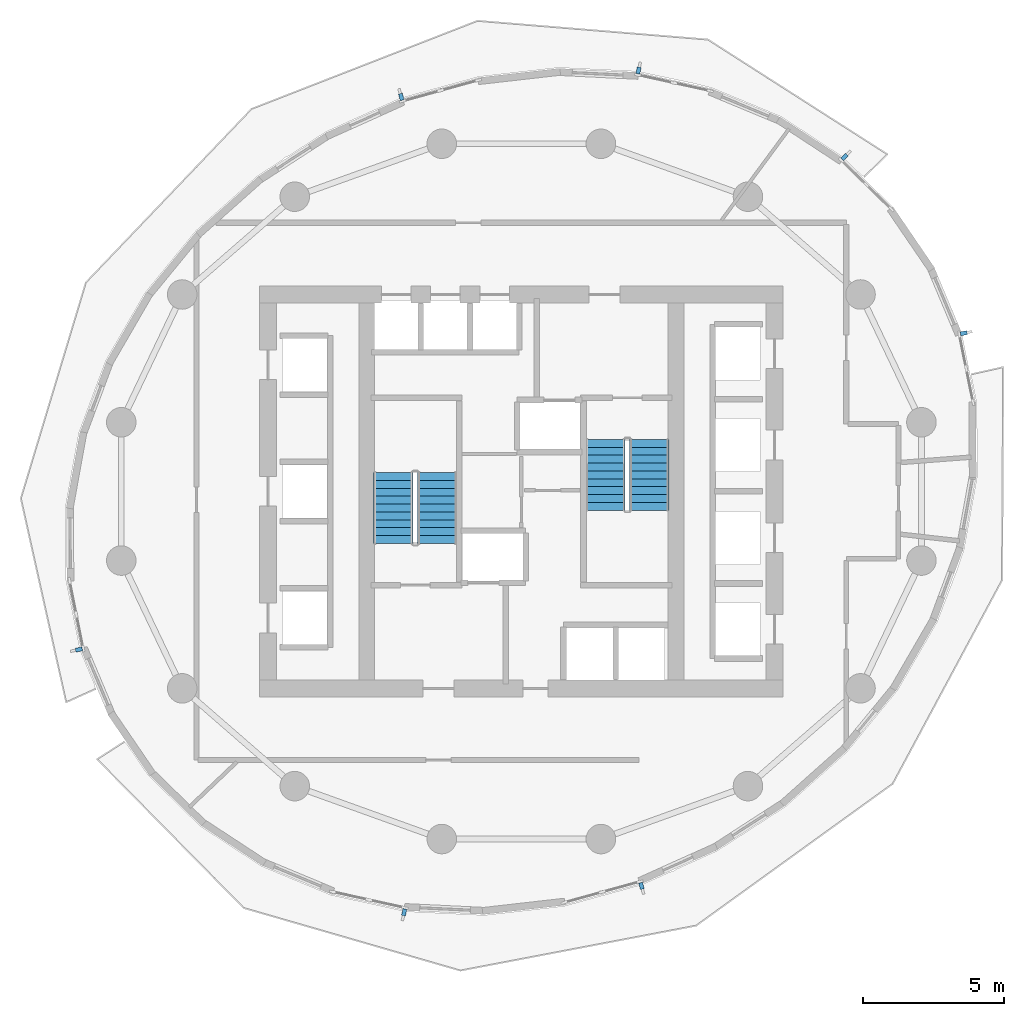
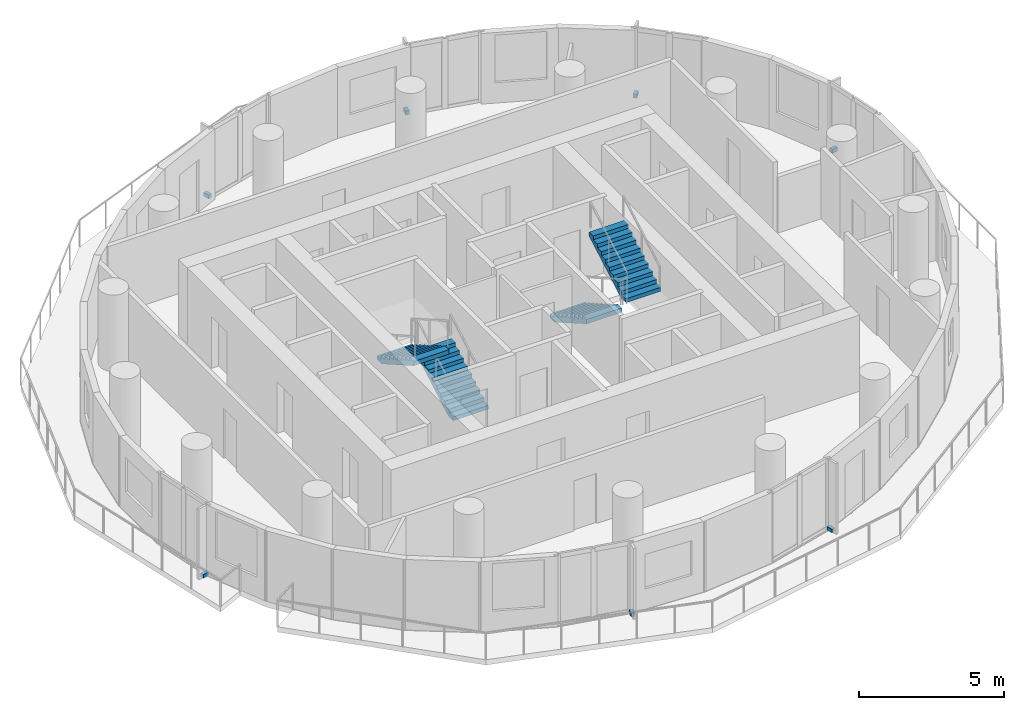
# One storey, part 6 of 11: 7 discrete accessories, 4 stair flights, 2 elements without a shape of their own.
"""IFC4 building model written with IfcOpenShell, lengths in metres."""

from ifc_helpers import new_model, si_unit, direction, frame, origin, origin_2d, place, context, subcontext, project, spatial, polyline, rectangle, outline, extrude, material, type_object, element, aggregate, save


model = new_model("IFC4")

# Units and contexts
model_context = context("Model", 3, precision=1e-05, world=origin(), true_north=direction((0.0, 1.0)))
body_context = subcontext(model_context, "Body", "Model", "MODEL_VIEW")
ifc_project = project(units=[si_unit("LENGTHUNIT", "METRE"), si_unit("AREAUNIT", "SQUARE_METRE"), si_unit("VOLUMEUNIT", "CUBIC_METRE"), si_unit("PLANEANGLEUNIT", "RADIAN"), si_unit("MASSUNIT", "GRAM", prefix="KILO")], contexts=[model_context])

# Site, building, storey
site_placement = place(None, origin())
site = spatial("IfcSite", under=ifc_project, at=site_placement, CompositionType="ELEMENT")
building_placement = place(site_placement, origin())
building = spatial("IfcBuilding", under=site, at=building_placement, Name="Veldorim Arch Residences", CompositionType="ELEMENT")
storey_placement = place(building_placement, frame((0.0, 0.0, 116.9599609375)))
storey = spatial("IfcBuildingStorey", under=building, at=storey_placement, Name="L34", CompositionType="ELEMENT", Elevation=116.9599609375)

# Stair, stair flights
ifc_material_1 = material(Name="Concrete C40/50", Category="concrete")
stair_type = type_object("IfcStairType", Name="Reinforced Concrete Dogleg Exit Staircase", PredefinedType="HALF_TURN_STAIR", material=ifc_material_1)
stair_1_placement = place(storey_placement, origin())
stair_1 = element("IfcStair", 1, at=stair_1_placement, inside=storey, type_object=stair_type, Name="L34 Exit Staircase ST-1", PredefinedType="HALF_TURN_STAIR")
ifc_material_2 = material(Name="Concrete C40/50", Category="concrete")
stair_flight_type = type_object("IfcStairFlightType", Name="Reinforced Concrete Stair Flight 1400", PredefinedType="STRAIGHT", material=ifc_material_2)
stair_flight_1_placement = place(storey_placement, frame((29.010009765625, 22.14990234375, 0.0), z_axis=(0.0, 0.0, 1.0), x_axis=(0.0, 1.0, 0.0)))
stair_flight_1 = element("IfcStairFlight", 2, at=stair_flight_1_placement, type_object=stair_flight_type, Name="ST-1 flight 1", NumberOfRisers=10, NumberOfTreads=9, PredefinedType="STRAIGHT", RiserHeight=0.16, TreadLength=0.28, context=body_context, shape_type="SweptSolid", body=[
    extrude(outline(polyline([(0.0, 0.0), (0.0, 0.159912109375), (0.280029296875, 0.159912109375), (0.280029296875, 0.320068359375), (0.56005859375, 0.320068359375), (0.56005859375, 0.47998046875), (0.840087890625, 0.47998046875), (0.840087890625, 0.639892578125), (1.1201171875, 0.639892578125), (1.1201171875, 0.800048828125), (1.39990234375, 0.800048828125), (1.39990234375, 0.9599609375), (1.679931640625, 0.9599609375), (1.679931640625, 1.1201171875), (1.9599609375, 1.1201171875), (1.9599609375, 1.280029296875), (2.239990234375, 1.280029296875), (2.239990234375, 1.43994140625), (2.52001953125, 1.43994140625), (2.52001953125, 1.60009765625), (2.52001953125, 1.255859375), (0.322265625, 0.0), (0.0, 0.0)])), frame((0.0, 0.699951171875, 0.0), z_axis=(0.0, -1.0, 0.0), x_axis=(1.0, 0.0, 0.0)), (0.0, 0.0, 1.0), 1.39990234375),
])
stair_flight_2_placement = place(storey_placement, frame((27.449951171875, 24.669921875, 1.60009765625), z_axis=(0.0, 0.0, 1.0), x_axis=(0.0, -1.0, 0.0)))
stair_flight_2 = element("IfcStairFlight", 3, at=stair_flight_2_placement, type_object=stair_flight_type, Name="ST-1 flight 2", NumberOfRisers=10, NumberOfTreads=9, PredefinedType="STRAIGHT", RiserHeight=0.16, TreadLength=0.28, context=body_context, shape_type="SweptSolid", body=[
    extrude(outline(polyline([(0.0, 0.0), (0.0, 0.159912109375), (0.280029296875, 0.159912109375), (0.280029296875, 0.320068359375), (0.56005859375, 0.320068359375), (0.56005859375, 0.47998046875), (0.840087890625, 0.47998046875), (0.840087890625, 0.639892578125), (1.1201171875, 0.639892578125), (1.1201171875, 0.800048828125), (1.39990234375, 0.800048828125), (1.39990234375, 0.9599609375), (1.679931640625, 0.9599609375), (1.679931640625, 1.1201171875), (1.9599609375, 1.1201171875), (1.9599609375, 1.280029296875), (2.239990234375, 1.280029296875), (2.239990234375, 1.43994140625), (2.52001953125, 1.43994140625), (2.52001953125, 1.60009765625), (2.52001953125, 1.255859375), (0.322265625, 0.0), (0.0, 0.0)])), frame((0.0, 0.699951171875, 0.0), z_axis=(0.0, -1.0, 0.0), x_axis=(1.0, 0.0, 0.0)), (0.0, 0.0, 1.0), 1.39990234375),
])
aggregate(stair_1, [stair_flight_1, stair_flight_2])

stair_2_placement = place(storey_placement, origin())
stair_2 = element("IfcStair", 4, at=stair_2_placement, inside=storey, type_object=stair_type, Name="L34 Exit Staircase ST-2", PredefinedType="HALF_TURN_STAIR")
stair_flight_3_placement = place(storey_placement, frame((34.989990234375, 25.85009765625, 0.0), z_axis=(0.0, 0.0, 1.0), x_axis=(0.0, -1.0, 0.0)))
stair_flight_3 = element("IfcStairFlight", 5, at=stair_flight_3_placement, type_object=stair_flight_type, Name="ST-2 flight 1", NumberOfRisers=10, NumberOfTreads=9, PredefinedType="STRAIGHT", RiserHeight=0.16, TreadLength=0.28, context=body_context, shape_type="SweptSolid", body=[
    extrude(outline(polyline([(0.0, 0.0), (0.0, 0.159912109375), (0.280029296875, 0.159912109375), (0.280029296875, 0.320068359375), (0.56005859375, 0.320068359375), (0.56005859375, 0.47998046875), (0.840087890625, 0.47998046875), (0.840087890625, 0.639892578125), (1.1201171875, 0.639892578125), (1.1201171875, 0.800048828125), (1.39990234375, 0.800048828125), (1.39990234375, 0.9599609375), (1.679931640625, 0.9599609375), (1.679931640625, 1.1201171875), (1.9599609375, 1.1201171875), (1.9599609375, 1.280029296875), (2.239990234375, 1.280029296875), (2.239990234375, 1.43994140625), (2.52001953125, 1.43994140625), (2.52001953125, 1.60009765625), (2.52001953125, 1.255859375), (0.322265625, 0.0), (0.0, 0.0)])), frame((0.0, 0.699951171875, 0.0), z_axis=(0.0, -1.0, 0.0), x_axis=(1.0, 0.0, 0.0)), (0.0, 0.0, 1.0), 1.39990234375),
])
stair_flight_4_placement = place(storey_placement, frame((36.550048828125, 23.330078125, 1.60009765625), z_axis=(0.0, 0.0, 1.0), x_axis=(0.0, 1.0, 0.0)))
stair_flight_4 = element("IfcStairFlight", 6, at=stair_flight_4_placement, type_object=stair_flight_type, Name="ST-2 flight 2", NumberOfRisers=10, NumberOfTreads=9, PredefinedType="STRAIGHT", RiserHeight=0.16, TreadLength=0.28, context=body_context, shape_type="SweptSolid", body=[
    extrude(outline(polyline([(0.0, 0.0), (0.0, 0.159912109375), (0.280029296875, 0.159912109375), (0.280029296875, 0.320068359375), (0.56005859375, 0.320068359375), (0.56005859375, 0.47998046875), (0.840087890625, 0.47998046875), (0.840087890625, 0.639892578125), (1.1201171875, 0.639892578125), (1.1201171875, 0.800048828125), (1.39990234375, 0.800048828125), (1.39990234375, 0.9599609375), (1.679931640625, 0.9599609375), (1.679931640625, 1.1201171875), (1.9599609375, 1.1201171875), (1.9599609375, 1.280029296875), (2.239990234375, 1.280029296875), (2.239990234375, 1.43994140625), (2.52001953125, 1.43994140625), (2.52001953125, 1.60009765625), (2.52001953125, 1.255859375), (0.322265625, 0.0), (0.0, 0.0)])), frame((0.0, 0.699951171875, 0.0), z_axis=(0.0, -1.0, 0.0), x_axis=(1.0, 0.0, 0.0)), (0.0, 0.0, 1.0), 1.39990234375),
])
aggregate(stair_2, [stair_flight_3, stair_flight_4])

# Discrete accessories
ifc_material_3 = material(Name="Stainless Steel", Category="steel")
discrete_accessory_type = type_object("IfcDiscreteAccessoryType", Name="Stainless Steel Facade Fin Anchor Bracket", PredefinedType="BRACKET", material=ifc_material_3)
for number, where, z_axis, x_axis, name in (
    (7, (43.486572265625, 35.886474609375, -0.02001953125), (0.0, 0.0, 1.0), (0.715570826341, -0.698540186739, 0.0), "L34 stainless fin anchor bracket 02"),
    (8, (36.164794921875, 38.961181640625, -0.02001953125), (0.0, 0.0, 1.0), (0.976484514545, -0.215587552642, 0.0), "L34 stainless fin anchor bracket 05"),
    (9, (27.730712890625, 38.02392578125, -0.02001953125), (0.0, 0.0, 1.0), (0.963863295733, 0.266397348219, 0.0), "L34 stainless fin anchor bracket 08"),
    (10, (16.27294921875, 18.377197265625, -0.02001953125), (0.0, 0.0, 1.0), (-0.198170582048, 0.980167547112, 0.0), "L34 stainless fin anchor bracket 17"),
    (11, (27.835205078125, 9.038818359375, -0.02001953125), (0.0, 0.0, 1.0), (-0.976484514545, 0.215587552642, 0.0), "L34 stainless fin anchor bracket 23"),
    (12, (36.269287109375, 9.97607421875, -0.02001953125), (0.0, 0.0, 1.0), (-0.963863295733, -0.266397348219, 0.0), "L34 stainless fin anchor bracket 26"),
    (13, (47.72705078125, 29.622802734375, -0.02001953125), (0.0, 0.0, 1.0), (0.198170582048, -0.980167547112, 0.0), "L34 stainless fin anchor bracket 35"),
):
    element("IfcDiscreteAccessory", number, at=place(storey_placement, frame(where, z_axis=z_axis, x_axis=x_axis)), inside=storey, type_object=discrete_accessory_type, Name=name, PredefinedType="BRACKET", context=body_context, shape_type="SweptSolid", body=[
        extrude(rectangle(XDim=0.139892578125, YDim=0.239990234375, at=origin_2d()), origin(), (0.0, 0.0, 1.0), 0.159912109375),
    ])

save(model, "model.ifc")
